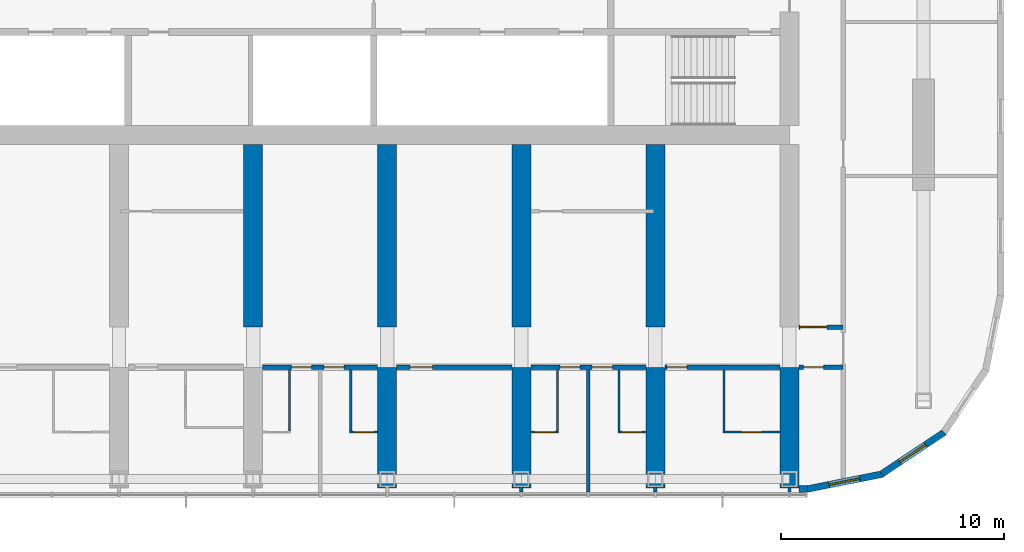
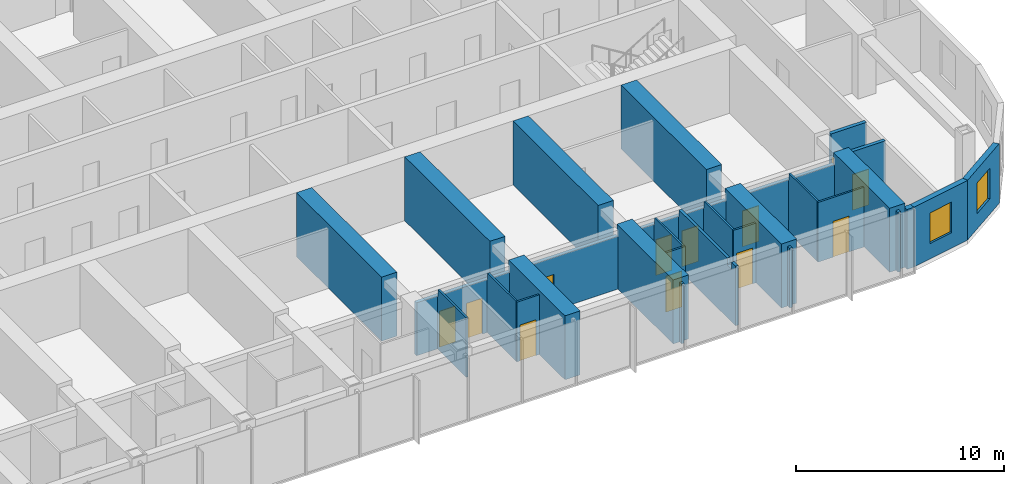
# One storey, part 12 of 23: 30 walls, 12 doors, 2 windows, 14 openings.
"""IFC4 building model written with IfcOpenShell, lengths in metres."""

from ifc_helpers import new_model, si_unit, direction, frame, frame_2d, origin, place, context, subcontext, project, spatial, polyline, rectangle, outline, extrude, material, layer, layer_set, type_object, element, fill, save


model = new_model("IFC4")

# Units and contexts
model_context = context("Model", 3, precision=1e-05, world=origin(), true_north=direction((0.0, 1.0)))
body_context = subcontext(model_context, "Body", "Model", "MODEL_VIEW")
ifc_project = project(units=[si_unit("LENGTHUNIT", "METRE"), si_unit("AREAUNIT", "SQUARE_METRE"), si_unit("VOLUMEUNIT", "CUBIC_METRE"), si_unit("PLANEANGLEUNIT", "RADIAN"), si_unit("MASSUNIT", "GRAM", prefix="KILO")], contexts=[model_context])

# Site, building, storey
site_placement = place(None, origin())
site = spatial("IfcSite", under=ifc_project, at=site_placement, CompositionType="ELEMENT")
building_placement = place(site_placement, origin())
building = spatial("IfcBuilding", under=site, at=building_placement, Name="Orbita Commons", CompositionType="ELEMENT")
storey_placement = place(building_placement, frame((0.0, 0.0, 171.10009765625)))
storey = spatial("IfcBuildingStorey", under=building, at=storey_placement, Name="L42", CompositionType="ELEMENT", Elevation=171.10009765625)

# Wall, openings, doors
ifc_material_1 = material(Name="Concrete blockwork", Category="masonry")
ifc_layer_1 = layer(ifc_material_1, 0.199951171875)
ifc_layer_set_1 = layer_set([ifc_layer_1], Name="Concrete blockwork")
wall_type_1 = type_object("IfcWallType", Name="Corridor wall 200 blockwork", PredefinedType="SOLIDWALL", material=ifc_layer_set_1)
wall_1_placement = place(storey_placement, frame((42.425048828125, 15.39990234375, 0.0), z_axis=(0.0, 0.0, 1.0), x_axis=(1.0, 0.0, 0.0)))
wall_1 = element("IfcWall", 1, at=wall_1_placement, inside=storey, type_object=wall_type_1, Name="Corridor wall 200 blockwork L42", PredefinedType="SOLIDWALL", context=body_context, shape_type="SweptSolid", body=[
    extrude(outline(polyline([(0.0, 0.0), (5.14990234375, 0.0), (5.14990234375, 3.099853515625), (0.0, 3.099853515625), (0.0, 0.0)])), frame((0.0, 0.10009765625, 0.0), z_axis=(0.0, -1.0, 0.0), x_axis=(1.0, 0.0, 0.0)), (0.0, 0.0, 1.0), 0.199951171875),
])
opening_1_placement = place(wall_1_placement, frame((1.300048828125, 0.0, 0.0)))
opening_1 = element("IfcOpeningElement", 2, at=opening_1_placement, cuts=wall_1, Name="Opening D11", PredefinedType="OPENING", context=body_context, shape_type="SweptSolid", body=[
    extrude(rectangle(XDim=0.89990234375, YDim=2.10009765625, at=frame_2d((0.449951171875, 1.050048828125))), frame((0.0, 0.10986328125, 0.0), z_axis=(0.0, -1.0, 0.0), x_axis=(1.0, 0.0, 0.0)), (0.0, 0.0, 1.0), 0.219970703125),
])
opening_2_placement = place(wall_1_placement, frame((2.75, 0.0, 0.0)))
opening_2 = element("IfcOpeningElement", 3, at=opening_2_placement, cuts=wall_1, Name="Opening D11", PredefinedType="OPENING", context=body_context, shape_type="SweptSolid", body=[
    extrude(rectangle(XDim=0.89990234375, YDim=2.10009765625, at=frame_2d((0.449951171875, 1.050048828125))), frame((0.0, 0.10986328125, 0.0), z_axis=(0.0, -1.0, 0.0), x_axis=(1.0, 0.0, 0.0)), (0.0, 0.0, 1.0), 0.219970703125),
])
ifc_material_2 = material(Name="Steel-faced fire door leaf", Category="steel")
door_type_1 = type_object("IfcDoorType", Name="Corridor door 20 min 900x2100", OperationType="SINGLE_SWING_LEFT", PredefinedType="DOOR", material=ifc_material_2)
door_1_placement = place(opening_1_placement, origin())
door_1 = element("IfcDoor", 4, at=door_1_placement, inside=storey, type_object=door_type_1, Name="Cluster bedroom L42-S08 door", OperationType="SINGLE_SWING_LEFT", OverallHeight=2.10009765625, OverallWidth=0.89990234375, PredefinedType="DOOR", context=body_context, shape_type="SweptSolid", body=[
    extrude(rectangle(XDim=0.89990234375, YDim=2.10009765625, at=frame_2d((0.449951171875, 1.050048828125))), frame((0.0, 0.02490234375, 0.0), z_axis=(0.0, -1.0, 0.0), x_axis=(1.0, 0.0, 0.0)), (0.0, 0.0, 1.0), 0.050048828125),
])
fill(opening_1, door_1)
door_2_placement = place(opening_2_placement, origin())
door_2 = element("IfcDoor", 5, at=door_2_placement, inside=storey, type_object=door_type_1, Name="Cluster bedroom L42-S09 door", OperationType="SINGLE_SWING_LEFT", OverallHeight=2.10009765625, OverallWidth=0.89990234375, PredefinedType="DOOR", context=body_context, shape_type="SweptSolid", body=[
    extrude(rectangle(XDim=0.89990234375, YDim=2.10009765625, at=frame_2d((0.449951171875, 1.050048828125))), frame((0.0, 0.02490234375, 0.0), z_axis=(0.0, -1.0, 0.0), x_axis=(1.0, 0.0, 0.0)), (0.0, 0.0, 1.0), 0.050048828125),
])
fill(opening_2, door_2)

# Wall, opening, door
wall_2_placement = place(storey_placement, frame((48.425048828125, 15.39990234375, 0.0), z_axis=(0.0, 0.0, 1.0), x_axis=(1.0, 0.0, 0.0)))
wall_2 = element("IfcWall", 6, at=wall_2_placement, inside=storey, type_object=wall_type_1, Name="Corridor wall 200 blockwork L42", PredefinedType="SOLIDWALL", context=body_context, shape_type="SweptSolid", body=[
    extrude(outline(polyline([(0.0, 0.0), (5.14990234375, 0.0), (5.14990234375, 3.099853515625), (0.0, 3.099853515625), (0.0, 0.0)])), frame((0.0, 0.10009765625, 0.0), z_axis=(0.0, -1.0, 0.0), x_axis=(1.0, 0.0, 0.0)), (0.0, 0.0, 1.0), 0.199951171875),
])
opening_3_placement = place(wall_2_placement, frame((0.60009765625, 0.0, 0.0)))
opening_3 = element("IfcOpeningElement", 7, at=opening_3_placement, cuts=wall_2, Name="Opening D06", PredefinedType="OPENING", context=body_context, shape_type="SweptSolid", body=[
    extrude(rectangle(XDim=1.0, YDim=2.10009765625, at=frame_2d((0.5, 1.050048828125))), frame((0.0, 0.10986328125, 0.0), z_axis=(0.0, -1.0, 0.0), x_axis=(1.0, 0.0, 0.0)), (0.0, 0.0, 1.0), 0.219970703125),
])
ifc_material_3 = material(Name="Steel-faced fire door leaf", Category="steel")
door_type_2 = type_object("IfcDoorType", Name="Corridor door 20 min 1000x2100", OperationType="SINGLE_SWING_LEFT", PredefinedType="DOOR", material=ifc_material_3)
door_3_placement = place(opening_3_placement, origin())
door_3 = element("IfcDoor", 8, at=door_3_placement, inside=storey, type_object=door_type_2, Name="Cluster kitchen-diner L42-S10 door", OperationType="SINGLE_SWING_LEFT", OverallHeight=2.10009765625, OverallWidth=1.0, PredefinedType="DOOR", context=body_context, shape_type="SweptSolid", body=[
    extrude(rectangle(XDim=1.0, YDim=2.10009765625, at=frame_2d((0.5, 1.050048828125))), frame((0.0, 0.02490234375, 0.0), z_axis=(0.0, -1.0, 0.0), x_axis=(1.0, 0.0, 0.0)), (0.0, 0.0, 1.0), 0.050048828125),
])
fill(opening_3, door_3)

# Wall, openings, doors
wall_3_placement = place(storey_placement, frame((54.425048828125, 15.39990234375, 0.0), z_axis=(0.0, 0.0, 1.0), x_axis=(1.0, 0.0, 0.0)))
wall_3 = element("IfcWall", 9, at=wall_3_placement, inside=storey, type_object=wall_type_1, Name="Corridor wall 200 blockwork L42", PredefinedType="SOLIDWALL", context=body_context, shape_type="SweptSolid", body=[
    extrude(outline(polyline([(0.0, 0.0), (5.14990234375, 0.0), (5.14990234375, 3.099853515625), (0.0, 3.099853515625), (0.0, 0.0)])), frame((0.0, 0.10009765625, 0.0), z_axis=(0.0, -1.0, 0.0), x_axis=(1.0, 0.0, 0.0)), (0.0, 0.0, 1.0), 0.199951171875),
])
opening_4_placement = place(wall_3_placement, frame((1.300048828125, 0.0, 0.0)))
opening_4 = element("IfcOpeningElement", 10, at=opening_4_placement, cuts=wall_3, Name="Opening D11", PredefinedType="OPENING", context=body_context, shape_type="SweptSolid", body=[
    extrude(rectangle(XDim=0.89990234375, YDim=2.10009765625, at=frame_2d((0.449951171875, 1.050048828125))), frame((0.0, 0.10986328125, 0.0), z_axis=(0.0, -1.0, 0.0), x_axis=(1.0, 0.0, 0.0)), (0.0, 0.0, 1.0), 0.219970703125),
])
opening_5_placement = place(wall_3_placement, frame((2.75, 0.0, 0.0)))
opening_5 = element("IfcOpeningElement", 11, at=opening_5_placement, cuts=wall_3, Name="Opening D11", PredefinedType="OPENING", context=body_context, shape_type="SweptSolid", body=[
    extrude(rectangle(XDim=0.89990234375, YDim=2.10009765625, at=frame_2d((0.449951171875, 1.050048828125))), frame((0.0, 0.10986328125, 0.0), z_axis=(0.0, -1.0, 0.0), x_axis=(1.0, 0.0, 0.0)), (0.0, 0.0, 1.0), 0.219970703125),
])
door_4_placement = place(opening_4_placement, origin())
door_4 = element("IfcDoor", 12, at=door_4_placement, inside=storey, type_object=door_type_1, Name="Cluster bedroom L42-S12 door", OperationType="SINGLE_SWING_LEFT", OverallHeight=2.10009765625, OverallWidth=0.89990234375, PredefinedType="DOOR", context=body_context, shape_type="SweptSolid", body=[
    extrude(rectangle(XDim=0.89990234375, YDim=2.10009765625, at=frame_2d((0.449951171875, 1.050048828125))), frame((0.0, 0.02490234375, 0.0), z_axis=(0.0, -1.0, 0.0), x_axis=(1.0, 0.0, 0.0)), (0.0, 0.0, 1.0), 0.050048828125),
])
fill(opening_4, door_4)
door_5_placement = place(opening_5_placement, origin())
door_5 = element("IfcDoor", 13, at=door_5_placement, inside=storey, type_object=door_type_1, Name="Cluster bedroom L42-S13 door", OperationType="SINGLE_SWING_LEFT", OverallHeight=2.10009765625, OverallWidth=0.89990234375, PredefinedType="DOOR", context=body_context, shape_type="SweptSolid", body=[
    extrude(rectangle(XDim=0.89990234375, YDim=2.10009765625, at=frame_2d((0.449951171875, 1.050048828125))), frame((0.0, 0.02490234375, 0.0), z_axis=(0.0, -1.0, 0.0), x_axis=(1.0, 0.0, 0.0)), (0.0, 0.0, 1.0), 0.050048828125),
])
fill(opening_5, door_5)

# Wall, opening, door
wall_4_placement = place(storey_placement, frame((60.425048828125, 15.39990234375, 0.0), z_axis=(0.0, 0.0, 1.0), x_axis=(1.0, 0.0, 0.0)))
wall_4 = element("IfcWall", 14, at=wall_4_placement, inside=storey, type_object=wall_type_1, Name="Corridor wall 200 blockwork L42", PredefinedType="SOLIDWALL", context=body_context, shape_type="SweptSolid", body=[
    extrude(outline(polyline([(0.0, 0.0), (5.14990234375, 0.0), (5.14990234375, 3.099853515625), (0.0, 3.099853515625), (0.0, 0.0)])), frame((0.0, 0.10009765625, 0.0), z_axis=(0.0, -1.0, 0.0), x_axis=(1.0, 0.0, 0.0)), (0.0, 0.0, 1.0), 0.199951171875),
])
opening_6_placement = place(wall_4_placement, frame((0.10009765625, 0.0, 0.0)))
opening_6 = element("IfcOpeningElement", 15, at=opening_6_placement, cuts=wall_4, Name="Opening D11", PredefinedType="OPENING", context=body_context, shape_type="SweptSolid", body=[
    extrude(rectangle(XDim=0.89990234375, YDim=2.10009765625, at=frame_2d((0.449951171875, 1.050048828125))), frame((0.0, 0.10986328125, 0.0), z_axis=(0.0, -1.0, 0.0), x_axis=(1.0, 0.0, 0.0)), (0.0, 0.0, 1.0), 0.219970703125),
])
door_6_placement = place(opening_6_placement, origin())
door_6 = element("IfcDoor", 16, at=door_6_placement, inside=storey, type_object=door_type_1, Name="Twin room L42-S14 door", OperationType="SINGLE_SWING_LEFT", OverallHeight=2.10009765625, OverallWidth=0.89990234375, PredefinedType="DOOR", context=body_context, shape_type="SweptSolid", body=[
    extrude(rectangle(XDim=0.89990234375, YDim=2.10009765625, at=frame_2d((0.449951171875, 1.050048828125))), frame((0.0, 0.02490234375, 0.0), z_axis=(0.0, -1.0, 0.0), x_axis=(1.0, 0.0, 0.0)), (0.0, 0.0, 1.0), 0.050048828125),
])
fill(opening_6, door_6)

wall_5_placement = place(storey_placement, frame((66.425048828125, 15.39990234375, 0.0), z_axis=(0.0, 0.0, 1.0), x_axis=(1.0, 0.0, 0.0)))
wall_5 = element("IfcWall", 17, at=wall_5_placement, inside=storey, type_object=wall_type_1, Name="Corridor wall 200 blockwork L42", PredefinedType="SOLIDWALL", context=body_context, shape_type="SweptSolid", body=[
    extrude(rectangle(XDim=1.974853515625, YDim=0.199951171875, at=frame_2d((0.9873046875, 0.0))), origin(), (0.0, 0.0, 1.0), 3.5),
])
opening_7_placement = place(wall_5_placement, frame((0.199951171875, 0.0, 0.0)))
opening_7 = element("IfcOpeningElement", 18, at=opening_7_placement, cuts=wall_5, Name="Opening D05", PredefinedType="OPENING", context=body_context, shape_type="SweptSolid", body=[
    extrude(rectangle(XDim=0.89990234375, YDim=2.10009765625, at=frame_2d((0.449951171875, 1.050048828125))), frame((0.0, 0.10986328125, 0.0), z_axis=(0.0, -1.0, 0.0), x_axis=(1.0, 0.0, 0.0)), (0.0, 0.0, 1.0), 0.219970703125),
])
ifc_material_4 = material(Name="Steel-faced fire door leaf", Category="steel")
door_type_3 = type_object("IfcDoorType", Name="Service door 20 min 900x2100", OperationType="SINGLE_SWING_LEFT", PredefinedType="DOOR", material=ifc_material_4)
door_7_placement = place(opening_7_placement, origin())
door_7 = element("IfcDoor", 19, at=door_7_placement, inside=storey, type_object=door_type_3, Name="Linen store L42-KES door", OperationType="SINGLE_SWING_LEFT", OverallHeight=2.10009765625, OverallWidth=0.89990234375, PredefinedType="DOOR", context=body_context, shape_type="SweptSolid", body=[
    extrude(rectangle(XDim=0.89990234375, YDim=2.10009765625, at=frame_2d((0.449951171875, 1.050048828125))), frame((0.0, 0.02490234375, 0.0), z_axis=(0.0, -1.0, 0.0), x_axis=(1.0, 0.0, 0.0)), (0.0, 0.0, 1.0), 0.050048828125),
])
fill(opening_7, door_7)

ifc_material_5 = material(Name="Hollow concrete block 200", Category="concrete")
ifc_layer_2 = layer(ifc_material_5, 0.199951171875)
ifc_layer_set_2 = layer_set([ifc_layer_2], Name="Hollow concrete block 200")
wall_type_2 = type_object("IfcWallType", Name="Corridor wall 200 hollow concrete block", PredefinedType="SOLIDWALL", material=ifc_layer_set_2)
wall_6_placement = place(storey_placement, frame((66.425048828125, 17.199951171875, 0.0), z_axis=(0.0, 0.0, 1.0), x_axis=(1.0, 0.0, 0.0)))
wall_6 = element("IfcWall", 20, at=wall_6_placement, inside=storey, type_object=wall_type_2, Name="Corridor wall 200 hollow concrete block L42", PredefinedType="SOLIDWALL", context=body_context, shape_type="SweptSolid", body=[
    extrude(rectangle(XDim=1.974853515625, YDim=0.199951171875, at=frame_2d((0.9873046875, 0.0))), origin(), (0.0, 0.0, 1.0), 3.5),
])
opening_8_placement = place(wall_6_placement, frame((0.050048828125, 0.0, 0.0)))
opening_8 = element("IfcOpeningElement", 21, at=opening_8_placement, cuts=wall_6, Name="Opening D12", PredefinedType="OPENING", context=body_context, shape_type="SweptSolid", body=[
    extrude(rectangle(XDim=1.199951171875, YDim=2.10009765625, at=frame_2d((0.60009765625, 1.050048828125))), frame((0.0, 0.10986328125, 0.0), z_axis=(0.0, -1.0, 0.0), x_axis=(1.0, 0.0, 0.0)), (0.0, 0.0, 1.0), 0.219970703125),
])
ifc_material_6 = material(Name="Steel-faced fire door leaf", Category="steel")
door_type_4 = type_object("IfcDoorType", Name="Double corridor door 20 min 1200x2100", OperationType="DOUBLE_DOOR_SINGLE_SWING", PredefinedType="DOOR", material=ifc_material_6)
door_8_placement = place(opening_8_placement, origin())
door_8 = element("IfcDoor", 22, at=door_8_placement, inside=storey, type_object=door_type_4, Name="Cross corridor doors", OperationType="DOUBLE_DOOR_SINGLE_SWING", OverallHeight=2.10009765625, OverallWidth=1.199951171875, PredefinedType="DOOR", context=body_context, shape_type="SweptSolid", body=[
    extrude(rectangle(XDim=1.199951171875, YDim=2.10009765625, at=frame_2d((0.60009765625, 1.050048828125))), frame((0.0, 0.02490234375, 0.0), z_axis=(0.0, -1.0, 0.0), x_axis=(1.0, 0.0, 0.0)), (0.0, 0.0, 1.0), 0.050048828125),
])
fill(opening_8, door_8)

# Walls
ifc_material_7 = material(Name="Concrete C50/60", Category="concrete")
ifc_layer_3 = layer(ifc_material_7, 0.85009765625)
ifc_layer_set_3 = layer_set([ifc_layer_3], Name="Concrete C50/60")
wall_type_3 = type_object("IfcWallType", Name="Cross wall 850 C50/60", PredefinedType="SHEAR", material=ifc_layer_set_3)
wall_7_placement = place(storey_placement, frame((42.0, 17.199951171875, 0.0), z_axis=(0.0, 0.0, 1.0), x_axis=(0.0, 1.0, 0.0)))
element("IfcWall", 23, at=wall_7_placement, inside=storey, type_object=wall_type_3, Name="Cross wall 8 south inner L42", PredefinedType="SHEAR", context=body_context, shape_type="SweptSolid", body=[
    extrude(rectangle(XDim=8.175048828125, YDim=0.85009765625, at=frame_2d((4.08740234375, 0.0))), origin(), (0.0, 0.0, 1.0), 3.75),
])
wall_8_placement = place(storey_placement, frame((48.0, 10.0, 0.0), z_axis=(0.0, 0.0, 1.0), x_axis=(0.0, 1.0, 0.0)))
element("IfcWall", 24, at=wall_8_placement, inside=storey, type_object=wall_type_3, Name="Cross wall 9 south outer L42", PredefinedType="SHEAR", context=body_context, shape_type="SweptSolid", body=[
    extrude(rectangle(XDim=5.39990234375, YDim=0.85009765625, at=frame_2d((2.699951171875, 0.0))), origin(), (0.0, 0.0, 1.0), 3.75),
])
wall_9_placement = place(storey_placement, frame((48.0, 17.199951171875, 0.0), z_axis=(0.0, 0.0, 1.0), x_axis=(0.0, 1.0, 0.0)))
element("IfcWall", 25, at=wall_9_placement, inside=storey, type_object=wall_type_3, Name="Cross wall 9 south inner L42", PredefinedType="SHEAR", context=body_context, shape_type="SweptSolid", body=[
    extrude(rectangle(XDim=8.175048828125, YDim=0.85009765625, at=frame_2d((4.08740234375, 0.0))), origin(), (0.0, 0.0, 1.0), 3.75),
])
wall_10_placement = place(storey_placement, frame((54.0, 10.0, 0.0), z_axis=(0.0, 0.0, 1.0), x_axis=(0.0, 1.0, 0.0)))
element("IfcWall", 26, at=wall_10_placement, inside=storey, type_object=wall_type_3, Name="Cross wall 10 south outer L42", PredefinedType="SHEAR", context=body_context, shape_type="SweptSolid", body=[
    extrude(rectangle(XDim=5.39990234375, YDim=0.85009765625, at=frame_2d((2.699951171875, 0.0))), origin(), (0.0, 0.0, 1.0), 3.75),
])
wall_11_placement = place(storey_placement, frame((54.0, 17.199951171875, 0.0), z_axis=(0.0, 0.0, 1.0), x_axis=(0.0, 1.0, 0.0)))
element("IfcWall", 27, at=wall_11_placement, inside=storey, type_object=wall_type_3, Name="Cross wall 10 south inner L42", PredefinedType="SHEAR", context=body_context, shape_type="SweptSolid", body=[
    extrude(rectangle(XDim=8.175048828125, YDim=0.85009765625, at=frame_2d((4.08740234375, 0.0))), origin(), (0.0, 0.0, 1.0), 3.75),
])
wall_12_placement = place(storey_placement, frame((60.0, 10.0, 0.0), z_axis=(0.0, 0.0, 1.0), x_axis=(0.0, 1.0, 0.0)))
element("IfcWall", 28, at=wall_12_placement, inside=storey, type_object=wall_type_3, Name="Cross wall 11 south outer L42", PredefinedType="SHEAR", context=body_context, shape_type="SweptSolid", body=[
    extrude(rectangle(XDim=5.39990234375, YDim=0.85009765625, at=frame_2d((2.699951171875, 0.0))), origin(), (0.0, 0.0, 1.0), 3.75),
])
wall_13_placement = place(storey_placement, frame((60.0, 17.199951171875, 0.0), z_axis=(0.0, 0.0, 1.0), x_axis=(0.0, 1.0, 0.0)))
element("IfcWall", 29, at=wall_13_placement, inside=storey, type_object=wall_type_3, Name="Cross wall 11 south inner L42", PredefinedType="SHEAR", context=body_context, shape_type="SweptSolid", body=[
    extrude(rectangle(XDim=8.175048828125, YDim=0.85009765625, at=frame_2d((4.08740234375, 0.0))), origin(), (0.0, 0.0, 1.0), 3.75),
])
wall_14_placement = place(storey_placement, frame((66.0, 10.0, 0.0), z_axis=(0.0, 0.0, 1.0), x_axis=(0.0, 1.0, 0.0)))
element("IfcWall", 30, at=wall_14_placement, inside=storey, type_object=wall_type_3, Name="Cross wall 12 south outer L42", PredefinedType="SHEAR", context=body_context, shape_type="SweptSolid", body=[
    extrude(rectangle(XDim=5.39990234375, YDim=0.85009765625, at=frame_2d((2.699951171875, 0.0))), origin(), (0.0, 0.0, 1.0), 3.75),
])
ifc_material_8 = material(Name="Moisture-resistant plasterboard on steel studs", Category="steel")
ifc_layer_4 = layer(ifc_material_8, 0.10009765625)
ifc_layer_set_4 = layer_set([ifc_layer_4], Name="Moisture-resistant plasterboard on steel studs")
wall_type_4 = type_object("IfcWallType", Name="En-suite partition 100", PredefinedType="PARTITIONING", material=ifc_layer_set_4)
wall_15_placement = place(storey_placement, frame((43.625, 12.550048828125, 0.0), z_axis=(0.0, 0.0, 1.0), x_axis=(0.0, 1.0, 0.0)))
element("IfcWall", 31, at=wall_15_placement, inside=storey, type_object=wall_type_4, Name="En-suite partition 100 L42", PredefinedType="PARTITIONING", context=body_context, shape_type="SweptSolid", body=[
    extrude(outline(polyline([(0.0, 0.0), (2.75, 0.0), (2.75, 3.099853515625), (2.701904296875, 3.099853515625), (2.699951171875, 3.5), (0.0, 3.5), (0.0, 0.0)])), frame((0.0, 0.050048828125, 0.0), z_axis=(0.0, -1.0, 0.0), x_axis=(1.0, 0.0, 0.0)), (0.0, 0.0, 1.0), 0.10009765625),
])

# Wall, opening, door
wall_16_placement = place(storey_placement, frame((47.574951171875, 12.5, 0.0), z_axis=(0.0, 0.0, 1.0), x_axis=(-1.0, 0.0, 0.0)))
wall_16 = element("IfcWall", 32, at=wall_16_placement, inside=storey, type_object=wall_type_4, Name="En-suite partition 100 L42", PredefinedType="PARTITIONING", context=body_context, shape_type="SweptSolid", body=[
    extrude(rectangle(XDim=1.25, YDim=0.10009765625, at=frame_2d((0.625, 0.0))), origin(), (0.0, 0.0, 1.0), 3.5),
])
opening_9_placement = place(wall_16_placement, frame((0.175048828125, 0.0, 0.0)))
opening_9 = element("IfcOpeningElement", 33, at=opening_9_placement, cuts=wall_16, Name="Opening D09", PredefinedType="OPENING", context=body_context, shape_type="SweptSolid", body=[
    extrude(rectangle(XDim=0.89990234375, YDim=2.10009765625, at=frame_2d((0.449951171875, 1.050048828125))), frame((0.0, 0.06005859375, 0.0), z_axis=(0.0, -1.0, 0.0), x_axis=(1.0, 0.0, 0.0)), (0.0, 0.0, 1.0), 0.1201171875),
])
ifc_material_9 = material(Name="Laminated timber door leaf", Category="wood")
door_type_5 = type_object("IfcDoorType", Name="En-suite door 900x2100", OperationType="SINGLE_SWING_RIGHT", PredefinedType="DOOR", material=ifc_material_9)
door_9_placement = place(opening_9_placement, origin())
door_9 = element("IfcDoor", 34, at=door_9_placement, inside=storey, type_object=door_type_5, Name="En-suite L42-S09 door", OperationType="SINGLE_SWING_RIGHT", OverallHeight=2.10009765625, OverallWidth=0.89990234375, PredefinedType="DOOR", context=body_context, shape_type="SweptSolid", body=[
    extrude(rectangle(XDim=0.89990234375, YDim=2.10009765625, at=frame_2d((0.449951171875, 1.050048828125))), frame((0.0, 0.02490234375, 0.0), z_axis=(0.0, -1.0, 0.0), x_axis=(1.0, 0.0, 0.0)), (0.0, 0.0, 1.0), 0.050048828125),
])
fill(opening_9, door_9)

# Wall
wall_17_placement = place(storey_placement, frame((46.375, 12.550048828125, 0.0), z_axis=(0.0, 0.0, 1.0), x_axis=(0.0, 1.0, 0.0)))
element("IfcWall", 35, at=wall_17_placement, inside=storey, type_object=wall_type_4, Name="En-suite partition 100 L42", PredefinedType="PARTITIONING", context=body_context, shape_type="SweptSolid", body=[
    extrude(outline(polyline([(0.0, 0.0), (2.75, 0.0), (2.75, 3.099853515625), (2.701904296875, 3.099853515625), (2.699951171875, 3.5), (0.0, 3.5), (0.0, 0.0)])), frame((0.0, 0.050048828125, 0.0), z_axis=(0.0, -1.0, 0.0), x_axis=(1.0, 0.0, 0.0)), (0.0, 0.0, 1.0), 0.10009765625),
])

# Wall, opening, door
wall_18_placement = place(storey_placement, frame((55.675048828125, 12.5, 0.0), z_axis=(0.0, 0.0, 1.0), x_axis=(-1.0, 0.0, 0.0)))
wall_18 = element("IfcWall", 36, at=wall_18_placement, inside=storey, type_object=wall_type_4, Name="En-suite partition 100 L42", PredefinedType="PARTITIONING", context=body_context, shape_type="SweptSolid", body=[
    extrude(rectangle(XDim=1.25, YDim=0.10009765625, at=frame_2d((0.625, 0.0))), origin(), (0.0, 0.0, 1.0), 3.5),
])
opening_10_placement = place(wall_18_placement, frame((0.175048828125, 0.0, 0.0)))
opening_10 = element("IfcOpeningElement", 37, at=opening_10_placement, cuts=wall_18, Name="Opening D09", PredefinedType="OPENING", context=body_context, shape_type="SweptSolid", body=[
    extrude(rectangle(XDim=0.89990234375, YDim=2.10009765625, at=frame_2d((0.449951171875, 1.050048828125))), frame((0.0, 0.06005859375, 0.0), z_axis=(0.0, -1.0, 0.0), x_axis=(1.0, 0.0, 0.0)), (0.0, 0.0, 1.0), 0.1201171875),
])
door_10_placement = place(opening_10_placement, origin())
door_10 = element("IfcDoor", 38, at=door_10_placement, inside=storey, type_object=door_type_5, Name="En-suite L42-S12 door", OperationType="SINGLE_SWING_RIGHT", OverallHeight=2.10009765625, OverallWidth=0.89990234375, PredefinedType="DOOR", context=body_context, shape_type="SweptSolid", body=[
    extrude(rectangle(XDim=0.89990234375, YDim=2.10009765625, at=frame_2d((0.449951171875, 1.050048828125))), frame((0.0, 0.02490234375, 0.0), z_axis=(0.0, -1.0, 0.0), x_axis=(1.0, 0.0, 0.0)), (0.0, 0.0, 1.0), 0.050048828125),
])
fill(opening_10, door_10)

# Wall
wall_19_placement = place(storey_placement, frame((55.625, 12.550048828125, 0.0), z_axis=(0.0, 0.0, 1.0), x_axis=(0.0, 1.0, 0.0)))
element("IfcWall", 39, at=wall_19_placement, inside=storey, type_object=wall_type_4, Name="En-suite partition 100 L42", PredefinedType="PARTITIONING", context=body_context, shape_type="SweptSolid", body=[
    extrude(outline(polyline([(0.0, 0.0), (2.75, 0.0), (2.75, 3.099853515625), (2.701904296875, 3.099853515625), (2.699951171875, 3.5), (0.0, 3.5), (0.0, 0.0)])), frame((0.0, 0.050048828125, 0.0), z_axis=(0.0, -1.0, 0.0), x_axis=(1.0, 0.0, 0.0)), (0.0, 0.0, 1.0), 0.10009765625),
])

# Wall, opening, door
wall_20_placement = place(storey_placement, frame((59.574951171875, 12.5, 0.0), z_axis=(0.0, 0.0, 1.0), x_axis=(-1.0, 0.0, 0.0)))
wall_20 = element("IfcWall", 40, at=wall_20_placement, inside=storey, type_object=wall_type_4, Name="En-suite partition 100 L42", PredefinedType="PARTITIONING", context=body_context, shape_type="SweptSolid", body=[
    extrude(rectangle(XDim=1.25, YDim=0.10009765625, at=frame_2d((0.625, 0.0))), origin(), (0.0, 0.0, 1.0), 3.5),
])
opening_11_placement = place(wall_20_placement, frame((0.175048828125, 0.0, 0.0)))
opening_11 = element("IfcOpeningElement", 41, at=opening_11_placement, cuts=wall_20, Name="Opening D09", PredefinedType="OPENING", context=body_context, shape_type="SweptSolid", body=[
    extrude(rectangle(XDim=0.89990234375, YDim=2.10009765625, at=frame_2d((0.449951171875, 1.050048828125))), frame((0.0, 0.06005859375, 0.0), z_axis=(0.0, -1.0, 0.0), x_axis=(1.0, 0.0, 0.0)), (0.0, 0.0, 1.0), 0.1201171875),
])
door_11_placement = place(opening_11_placement, origin())
door_11 = element("IfcDoor", 42, at=door_11_placement, inside=storey, type_object=door_type_5, Name="En-suite L42-S13 door", OperationType="SINGLE_SWING_RIGHT", OverallHeight=2.10009765625, OverallWidth=0.89990234375, PredefinedType="DOOR", context=body_context, shape_type="SweptSolid", body=[
    extrude(rectangle(XDim=0.89990234375, YDim=2.10009765625, at=frame_2d((0.449951171875, 1.050048828125))), frame((0.0, 0.02490234375, 0.0), z_axis=(0.0, -1.0, 0.0), x_axis=(1.0, 0.0, 0.0)), (0.0, 0.0, 1.0), 0.050048828125),
])
fill(opening_11, door_11)

# Wall
wall_21_placement = place(storey_placement, frame((58.375, 12.550048828125, 0.0), z_axis=(0.0, 0.0, 1.0), x_axis=(0.0, 1.0, 0.0)))
element("IfcWall", 43, at=wall_21_placement, inside=storey, type_object=wall_type_4, Name="En-suite partition 100 L42", PredefinedType="PARTITIONING", context=body_context, shape_type="SweptSolid", body=[
    extrude(outline(polyline([(0.0, 0.0), (2.75, 0.0), (2.75, 3.099853515625), (2.701904296875, 3.099853515625), (2.699951171875, 3.5), (0.0, 3.5), (0.0, 0.0)])), frame((0.0, 0.050048828125, 0.0), z_axis=(0.0, -1.0, 0.0), x_axis=(1.0, 0.0, 0.0)), (0.0, 0.0, 1.0), 0.10009765625),
])

# Wall, opening, door
wall_22_placement = place(storey_placement, frame((65.574951171875, 12.5, 0.0), z_axis=(0.0, 0.0, 1.0), x_axis=(-1.0, 0.0, 0.0)))
wall_22 = element("IfcWall", 44, at=wall_22_placement, inside=storey, type_object=wall_type_4, Name="En-suite partition 100 L42", PredefinedType="PARTITIONING", context=body_context, shape_type="SweptSolid", body=[
    extrude(rectangle(XDim=2.550048828125, YDim=0.10009765625, at=frame_2d((1.27490234375, 0.0))), origin(), (0.0, 0.0, 1.0), 3.5),
])
opening_12_placement = place(wall_22_placement, frame((0.824951171875, 0.0, 0.0)))
opening_12 = element("IfcOpeningElement", 45, at=opening_12_placement, cuts=wall_22, Name="Opening D09", PredefinedType="OPENING", context=body_context, shape_type="SweptSolid", body=[
    extrude(rectangle(XDim=0.89990234375, YDim=2.10009765625, at=frame_2d((0.449951171875, 1.050048828125))), frame((0.0, 0.06005859375, 0.0), z_axis=(0.0, -1.0, 0.0), x_axis=(1.0, 0.0, 0.0)), (0.0, 0.0, 1.0), 0.1201171875),
])
door_12_placement = place(opening_12_placement, origin())
door_12 = element("IfcDoor", 46, at=door_12_placement, inside=storey, type_object=door_type_5, Name="En-suite L42-S14 door", OperationType="SINGLE_SWING_RIGHT", OverallHeight=2.10009765625, OverallWidth=0.89990234375, PredefinedType="DOOR", context=body_context, shape_type="SweptSolid", body=[
    extrude(rectangle(XDim=0.89990234375, YDim=2.10009765625, at=frame_2d((0.449951171875, 1.050048828125))), frame((0.0, 0.02490234375, 0.0), z_axis=(0.0, -1.0, 0.0), x_axis=(1.0, 0.0, 0.0)), (0.0, 0.0, 1.0), 0.050048828125),
])
fill(opening_12, door_12)

# Walls
wall_23_placement = place(storey_placement, frame((63.074951171875, 12.550048828125, 0.0), z_axis=(0.0, 0.0, 1.0), x_axis=(0.0, 1.0, 0.0)))
element("IfcWall", 47, at=wall_23_placement, inside=storey, type_object=wall_type_4, Name="En-suite partition 100 L42", PredefinedType="PARTITIONING", context=body_context, shape_type="SweptSolid", body=[
    extrude(outline(polyline([(0.0, 0.0), (2.75, 0.0), (2.75, 3.099853515625), (2.701904296875, 3.099853515625), (2.699951171875, 3.5), (0.0, 3.5), (0.0, 0.0)])), frame((0.0, 0.050048828125, 0.0), z_axis=(0.0, -1.0, 0.0), x_axis=(1.0, 0.0, 0.0)), (0.0, 0.0, 1.0), 0.10009765625),
])
ifc_material_10 = material(Name="Gypsum plasterboard on steel studs", Category="steel")
ifc_layer_5 = layer(ifc_material_10, 0.14990234375)
ifc_layer_set_5 = layer_set([ifc_layer_5], Name="Gypsum plasterboard on steel studs")
wall_type_5 = type_object("IfcWallType", Name="Partition 150 plasterboard", PredefinedType="PARTITIONING", material=ifc_layer_set_5)
for number, where, z_axis, x_axis, name in (
    (48, (54.0, 10.050048828125, 0.0), (0.0, 0.0, 1.0), (0.0, -1.0, 0.0), "Partition 150 plasterboard L42"),
    (49, (60.0, 10.050048828125, 0.0), (0.0, 0.0, 1.0), (0.0, -1.0, 0.0), "Partition 150 plasterboard L42"),
    (50, (66.0, 10.050048828125, 0.0), (0.0, 0.0, 1.0), (0.0, -1.0, 0.0), "Partition 150 plasterboard L42"),
):
    element("IfcWall", number, at=place(storey_placement, frame(where, z_axis=z_axis, x_axis=x_axis)), inside=storey, type_object=wall_type_5, Name=name, PredefinedType="PARTITIONING", context=body_context, shape_type="SweptSolid", body=[
        extrude(rectangle(XDim=0.239990234375, YDim=0.14990234375, at=frame_2d((0.1201171875, 0.0))), origin(), (0.0, 0.0, 1.0), 3.5),
    ])
ifc_material_11 = material(Name="Gypsum plasterboard on steel studs", Category="steel")
ifc_layer_6 = layer(ifc_material_11, 0.14990234375)
ifc_layer_set_6 = layer_set([ifc_layer_6], Name="Gypsum plasterboard on steel studs")
wall_type_6 = type_object("IfcWallType", Name="Party wall 150 plasterboard", PredefinedType="PARTITIONING", material=ifc_layer_set_6)
wall_24_placement = place(storey_placement, frame((57.0, 9.81005859375, 0.0), z_axis=(0.0, 0.0, 1.0), x_axis=(0.0, 1.0, 0.0)))
element("IfcWall", 51, at=wall_24_placement, inside=storey, type_object=wall_type_6, Name="Party wall 150 plasterboard L42", PredefinedType="PARTITIONING", context=body_context, shape_type="SweptSolid", body=[
    extrude(outline(polyline([(0.0, 0.0), (5.489990234375, 0.0), (5.489990234375, 3.099853515625), (5.44189453125, 3.099853515625), (5.43994140625, 3.5), (0.7919921875, 3.5), (0.7900390625, 3.099853515625), (0.39208984375, 3.099853515625), (0.389892578125, 3.5), (0.0, 3.5), (0.0, 0.0)])), frame((0.0, 0.074951171875, 0.0), z_axis=(0.0, -1.0, 0.0), x_axis=(1.0, 0.0, 0.0)), (0.0, 0.0, 1.0), 0.14990234375),
])

# Wall, opening, window
ifc_material_12 = material(Name="Precast concrete C40/50, white board-marked finish", Category="concrete")
ifc_layer_7 = layer(ifc_material_12, 0.300048828125)
ifc_layer_set_7 = layer_set([ifc_layer_7], Name="Precast concrete C40/50, white board-marked finish")
wall_type_7 = type_object("IfcWallType", Name="Precast concrete end shield 300", PredefinedType="SOLIDWALL", material=ifc_layer_set_7)
wall_25_placement = place(storey_placement, frame((66.800048828125, 9.949951171875, 0.0), z_axis=(0.0, 0.0, 1.0), x_axis=(0.98078325777, 0.195100490205, 0.0)))
wall_25 = element("IfcWall", 52, at=wall_25_placement, inside=storey, type_object=wall_type_7, Name="End shield SE chord 1 L42", PredefinedType="SOLIDWALL", context=body_context, shape_type="SweptSolid", body=[
    extrude(outline(polyline([(-0.02978515625, -0.14990234375), (3.40478515625, -0.14990234375), (3.34521484375, 0.14990234375), (0.02978515625, 0.14990234375), (-0.02978515625, -0.14990234375)])), origin(), (0.0, 0.0, 1.0), 3.5),
])
opening_13_placement = place(wall_25_placement, frame((0.987548828125, 0.0, 0.89990234375)))
opening_13 = element("IfcOpeningElement", 53, at=opening_13_placement, cuts=wall_25, Name="Opening W02", PredefinedType="OPENING", context=body_context, shape_type="SweptSolid", body=[
    extrude(rectangle(XDim=1.39990234375, YDim=1.800048828125, at=frame_2d((0.699951171875, 0.89990234375))), frame((0.0, 0.159912109375, 0.0), z_axis=(0.0, -1.0, 0.0), x_axis=(1.0, 0.0, 0.0)), (0.0, 0.0, 1.0), 0.320068359375),
])
ifc_material_13 = material(Name="Aluminium frame, clear double glazing", Category="aluminium")
window_type = type_object("IfcWindowType", Name="Deep-set window 1400x1800", PartitioningType="SINGLE_PANEL", PredefinedType="WINDOW", material=ifc_material_13)
window_1_placement = place(opening_13_placement, origin())
window_1 = element("IfcWindow", 54, at=window_1_placement, inside=storey, type_object=window_type, Name="Window L42-SE0", OverallHeight=1.800048828125, OverallWidth=1.39990234375, PartitioningType="SINGLE_PANEL", PredefinedType="WINDOW", context=body_context, shape_type="SweptSolid", body=[
    extrude(rectangle(XDim=1.39990234375, YDim=1.800048828125, at=frame_2d((0.699951171875, 0.89990234375))), frame((0.0, 0.030029296875, 0.0), z_axis=(0.0, -1.0, 0.0), x_axis=(1.0, 0.0, 0.0)), (0.0, 0.0, 1.0), 0.06005859375),
])
fill(opening_13, window_1)

wall_26_placement = place(storey_placement, frame((70.110107421875, 10.6083984375, 0.0), z_axis=(0.0, 0.0, 1.0), x_axis=(0.831493450887, 0.555534554399, 0.0)))
wall_26 = element("IfcWall", 55, at=wall_26_placement, inside=storey, type_object=wall_type_7, Name="End shield SE chord 2 L42", PredefinedType="SOLIDWALL", context=body_context, shape_type="SweptSolid", body=[
    extrude(outline(polyline([(-0.02978515625, -0.14990234375), (3.405029296875, -0.14990234375), (3.345458984375, 0.14990234375), (0.02978515625, 0.14990234375), (-0.02978515625, -0.14990234375)])), origin(), (0.0, 0.0, 1.0), 3.5),
])
opening_14_placement = place(wall_26_placement, frame((0.987548828125, 0.0, 0.89990234375)))
opening_14 = element("IfcOpeningElement", 56, at=opening_14_placement, cuts=wall_26, Name="Opening W02", PredefinedType="OPENING", context=body_context, shape_type="SweptSolid", body=[
    extrude(rectangle(XDim=1.39990234375, YDim=1.800048828125, at=frame_2d((0.699951171875, 0.89990234375))), frame((0.0, 0.159912109375, 0.0), z_axis=(0.0, -1.0, 0.0), x_axis=(1.0, 0.0, 0.0)), (0.0, 0.0, 1.0), 0.320068359375),
])
window_2_placement = place(opening_14_placement, origin())
window_2 = element("IfcWindow", 57, at=window_2_placement, inside=storey, type_object=window_type, Name="Window L42-SE1", OverallHeight=1.800048828125, OverallWidth=1.39990234375, PartitioningType="SINGLE_PANEL", PredefinedType="WINDOW", context=body_context, shape_type="SweptSolid", body=[
    extrude(rectangle(XDim=1.39990234375, YDim=1.800048828125, at=frame_2d((0.699951171875, 0.89990234375))), frame((0.0, 0.030029296875, 0.0), z_axis=(0.0, -1.0, 0.0), x_axis=(1.0, 0.0, 0.0)), (0.0, 0.0, 1.0), 0.06005859375),
])
fill(opening_14, window_2)

# Wall
wall_27_placement = place(storey_placement, frame((66.800048828125, 9.949951171875, 0.0), z_axis=(0.0, 0.0, 1.0), x_axis=(-1.0, 0.0, 0.0)))
element("IfcWall", 58, at=wall_27_placement, inside=storey, type_object=wall_type_7, Name="End shield SE closer L42", PredefinedType="SOLIDWALL", context=body_context, shape_type="SweptSolid", body=[
    extrude(rectangle(XDim=0.375, YDim=0.300048828125, at=frame_2d((0.1875, 0.0))), origin(), (0.0, 0.0, 1.0), 3.5),
])

save(model, "model.ifc")
